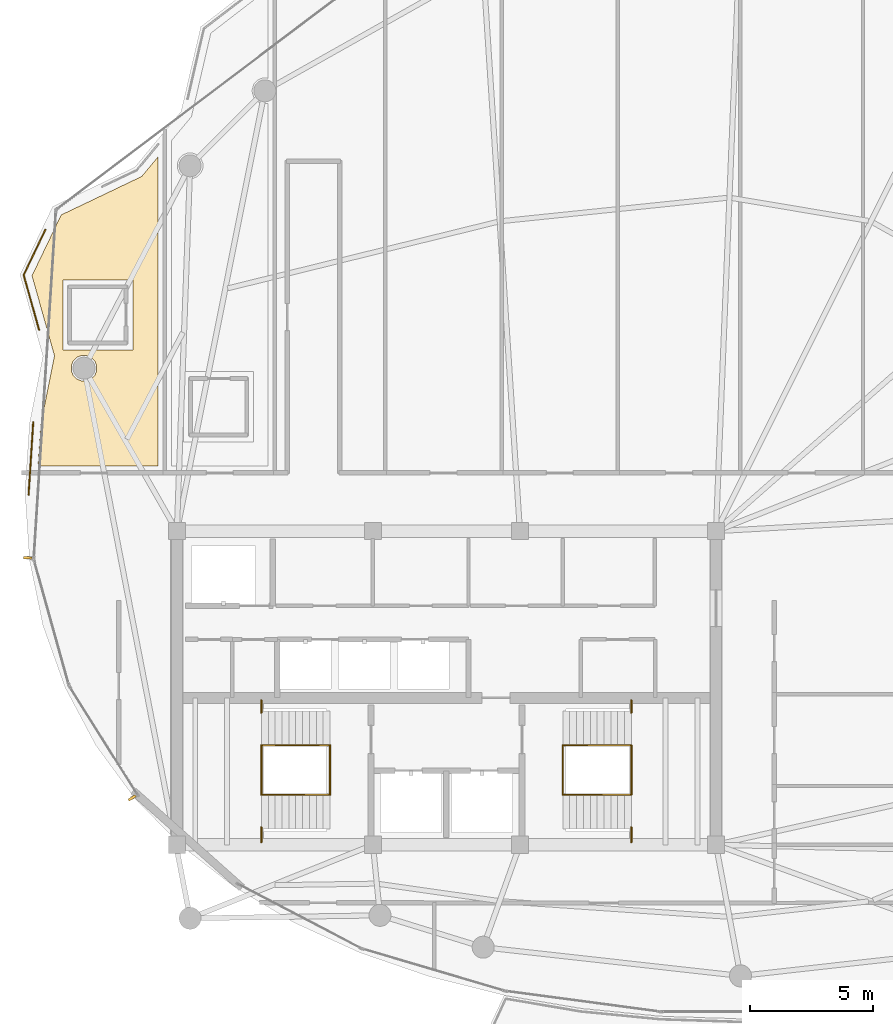
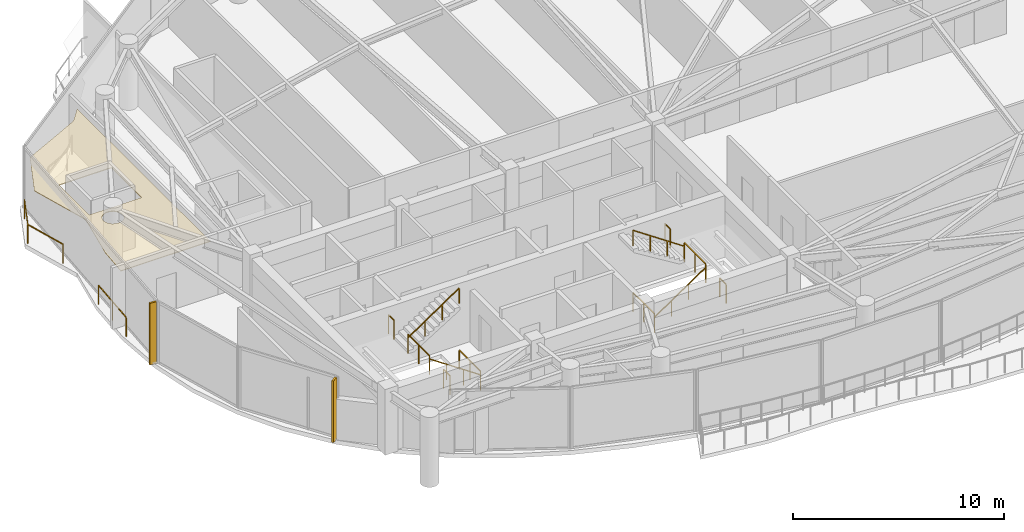
# One storey, part 28 of 30: 14 railings, 2 shading devices, 1 covering.
"""IFC4 building model written with IfcOpenShell, lengths in metres."""

from ifc_helpers import new_model, si_unit, direction, frame, origin, origin_2d, place, context, subcontext, project, spatial, polyline, rectangle, outline, extrude, material, layer, layer_set, type_object, element, save


model = new_model("IFC4")

# Units and contexts
model_context = context("Model", 3, precision=1e-05, world=origin(), true_north=direction((0.0, 1.0)))
body_context = subcontext(model_context, "Body", "Model", "MODEL_VIEW")
ifc_project = project(units=[si_unit("LENGTHUNIT", "METRE"), si_unit("AREAUNIT", "SQUARE_METRE"), si_unit("VOLUMEUNIT", "CUBIC_METRE"), si_unit("PLANEANGLEUNIT", "RADIAN"), si_unit("MASSUNIT", "GRAM", prefix="KILO")], contexts=[model_context])

# Site, building, storey
site_placement = place(None, origin())
site = spatial("IfcSite", under=ifc_project, at=site_placement, CompositionType="ELEMENT")
building_placement = place(site_placement, origin())
building = spatial("IfcBuilding", under=site, at=building_placement, Name="Kazevale Care Tower and Concert Hall", CompositionType="ELEMENT")
storey_placement = place(building_placement, frame((0.0, 0.0, 258.60009765625)))
storey = spatial("IfcBuildingStorey", under=building, at=storey_placement, Name="L68", CompositionType="ELEMENT", Elevation=258.60009765625)

# Covering
ifc_material_1 = material(Name="Acoustic Plaster and Hinoki Wood", Category="wood")
ifc_layer = layer(ifc_material_1, 0.0400390625)
ifc_layer_set = layer_set([ifc_layer], Name="Acoustic Plaster and Hinoki Wood")
covering_type = type_object("IfcCoveringType", Name="Acoustic Perforated Wood-Gypsum Ceiling", PredefinedType="CEILING", material=ifc_layer_set)
covering_placement = place(storey_placement, frame((0.0, 0.0, 2.909912109375)))
element("IfcCovering", 1, at=covering_placement, inside=storey, type_object=covering_type, Name="clg:L68:1", PredefinedType="CEILING", context=body_context, shape_type="SweptSolid", body=[
    extrude(outline(polyline([(16.087890625, 46.824951171875), (17.279052734375, 49.304931640625), (20.56494140625, 50.8759765625), (21.219970703125, 51.6630859375), (21.219970703125, 39.054931640625), (16.330078125, 39.054931640625), (16.44091796875, 40.72802734375), (17.0048828125, 43.55908203125), (16.087890625, 46.824951171875)]), holes=[polyline([(17.344970703125, 46.655029296875), (17.344970703125, 43.794921875), (20.205078125, 43.794921875), (20.205078125, 46.655029296875), (17.344970703125, 46.655029296875)]), polyline([(18.72998046875, 43.153076171875), (18.65087890625, 43.343994140625), (18.50390625, 43.490966796875), (18.31298828125, 43.570068359375), (18.10693359375, 43.570068359375), (17.916015625, 43.490966796875), (17.76904296875, 43.343994140625), (17.68994140625, 43.153076171875), (17.68994140625, 42.947021484375), (17.76904296875, 42.756103515625), (17.916015625, 42.60888671875), (18.10693359375, 42.530029296875), (18.31298828125, 42.530029296875), (18.50390625, 42.60888671875), (18.65087890625, 42.756103515625), (18.72998046875, 42.947021484375), (18.72998046875, 43.153076171875)])]), origin(), (0.0, 0.0, 1.0), 0.0400390625),
])

# Railings
ifc_material_2 = material(Name="Anodised Bronze Aluminium and Laminated Glass", Category="aluminium")
railing_type_1 = type_object("IfcRailingType", Name="Balcony and Terrace Balustrade 1120", PredefinedType="BALUSTRADE", material=ifc_material_2)
railing_1_placement = place(storey_placement, frame((15.947998046875, 37.87890625, 0.0)))
element("IfcRailing", 2, at=railing_1_placement, inside=storey, type_object=railing_type_1, Name="rail:L68:perim:1", PredefinedType="BALUSTRADE", context=body_context, shape_type="SweptSolid", body=[
    extrude(rectangle(XDim=0.048095703125, YDim=0.048095703125, at=origin_2d()), frame((0.0, 0.0, 1.09619140625), z_axis=(0.063663552123, 0.997971418494, 0.0), x_axis=(-0.997971418494, 0.063663552123, 0.0)), (0.0, 0.0, 1.0), 2.96826171875),
    extrude(rectangle(XDim=0.0419921875, YDim=0.0419921875, at=origin_2d()), origin(), (0.0, 0.0, 1.0), 1.072021484375),
    extrude(rectangle(XDim=0.0419921875, YDim=0.0419921875, at=origin_2d()), frame((0.094482421875, 1.48095703125, 0.0)), (0.0, 0.0, 1.0), 1.072021484375),
    extrude(rectangle(XDim=0.0419921875, YDim=0.0419921875, at=origin_2d()), frame((0.18896484375, 2.962158203125, 0.0)), (0.0, 0.0, 1.0), 1.072021484375),
])
railing_2_placement = place(storey_placement, frame((16.376953125, 44.611083984375, 0.0)))
element("IfcRailing", 3, at=railing_2_placement, inside=storey, type_object=railing_type_1, Name="rail:L68:perim:2", PredefinedType="BALUSTRADE", context=body_context, shape_type="SweptSolid", body=[
    extrude(rectangle(XDim=0.048095703125, YDim=0.048095703125, at=origin_2d()), frame((0.0, 0.0, 1.09619140625), z_axis=(-0.270263204308, 0.962786477053, 0.0), x_axis=(-0.962786477053, -0.270263204308, 0.0)), (0.0, 0.0, 1.0), 2.33056640625),
    extrude(rectangle(XDim=0.048095703125, YDim=0.048095703125, at=origin_2d()), frame((-0.6298828125, 2.243896484375, 1.09619140625), z_axis=(0.43310531756, 0.901343321882, 0.0), x_axis=(-0.901343321882, 0.43310531756, 0.0)), (0.0, 0.0, 1.0), 2.056884765625),
    extrude(rectangle(XDim=0.0419921875, YDim=0.0419921875, at=origin_2d()), origin(), (0.0, 0.0, 1.0), 1.072021484375),
    extrude(rectangle(XDim=0.0419921875, YDim=0.0419921875, at=origin_2d()), frame((-0.6298828125, 2.243896484375, 0.0)), (0.0, 0.0, 1.0), 1.072021484375),
    extrude(rectangle(XDim=0.0419921875, YDim=0.0419921875, at=origin_2d()), frame((0.260986328125, 4.097900390625, 0.0)), (0.0, 0.0, 1.0), 1.072021484375),
])
ifc_material_3 = material(Name="Stainless Steel 316", Category="steel")
railing_type_2 = type_object("IfcRailingType", Name="Stair Pitch Handrail 920", PredefinedType="HANDRAIL", material=ifc_material_3)
railing_3_placement = place(storey_placement, frame((28.25, 25.639892578125, 0.0)))
element("IfcRailing", 4, at=railing_3_placement, inside=storey, type_object=railing_type_2, Name="stair:L68:ST1:hr1", PredefinedType="HANDRAIL", context=body_context, shape_type="SweptSolid", body=[
    extrude(rectangle(XDim=0.048095703125, YDim=0.048095703125, at=origin_2d()), frame((0.0, 0.0, 0.89599609375), z_axis=(-0.827493732819, 0.0, 0.561474952376), x_axis=(0.0, -1.0, 0.0)), (0.0, 0.0, 1.0), 3.3837890625),
    extrude(rectangle(XDim=0.0419921875, YDim=0.0419921875, at=origin_2d()), origin(), (0.0, 0.0, 1.0), 0.871826171875),
    extrude(rectangle(XDim=0.0419921875, YDim=0.0419921875, at=origin_2d()), frame((-0.933349609375, 0.0, 0.63330078125)), (0.0, 0.0, 1.0), 0.871826171875),
    extrude(rectangle(XDim=0.0419921875, YDim=0.0419921875, at=origin_2d()), frame((-1.86669921875, 0.0, 1.2666015625)), (0.0, 0.0, 1.0), 0.871826171875),
    extrude(rectangle(XDim=0.0419921875, YDim=0.0419921875, at=origin_2d()), frame((-2.800048828125, 0.0, 1.89990234375)), (0.0, 0.0, 1.0), 0.871826171875),
])
for number, where, name in (
    (5, (25.449951171875, 27.659912109375, 1.89990234375), "stair:L68:ST1:hr2"),
    (6, (37.75, 25.639892578125, 0.0), "stair:L68:ST2:hr1"),
):
    element("IfcRailing", number, at=place(storey_placement, frame(where)), inside=storey, type_object=railing_type_2, Name=name, PredefinedType="HANDRAIL", context=body_context, shape_type="SweptSolid", body=[
        extrude(rectangle(XDim=0.048095703125, YDim=0.048095703125, at=origin_2d()), frame((0.0, 0.0, 0.89599609375), z_axis=(0.827493732819, 0.0, 0.561474952376), x_axis=(0.0, 1.0, 0.0)), (0.0, 0.0, 1.0), 3.3837890625),
        extrude(rectangle(XDim=0.0419921875, YDim=0.0419921875, at=origin_2d()), origin(), (0.0, 0.0, 1.0), 0.871826171875),
        extrude(rectangle(XDim=0.0419921875, YDim=0.0419921875, at=origin_2d()), frame((0.933349609375, 0.0, 0.63330078125)), (0.0, 0.0, 1.0), 0.871826171875),
        extrude(rectangle(XDim=0.0419921875, YDim=0.0419921875, at=origin_2d()), frame((1.86669921875, 0.0, 1.2666015625)), (0.0, 0.0, 1.0), 0.871826171875),
        extrude(rectangle(XDim=0.0419921875, YDim=0.0419921875, at=origin_2d()), frame((2.800048828125, 0.0, 1.89990234375)), (0.0, 0.0, 1.0), 0.871826171875),
    ])
railing_4_placement = place(storey_placement, frame((40.550048828125, 27.659912109375, 1.89990234375)))
element("IfcRailing", 7, at=railing_4_placement, inside=storey, type_object=railing_type_2, Name="stair:L68:ST2:hr2", PredefinedType="HANDRAIL", context=body_context, shape_type="SweptSolid", body=[
    extrude(rectangle(XDim=0.048095703125, YDim=0.048095703125, at=origin_2d()), frame((0.0, 0.0, 0.89599609375), z_axis=(-0.827493732819, 0.0, 0.561474952376), x_axis=(0.0, -1.0, 0.0)), (0.0, 0.0, 1.0), 3.3837890625),
    extrude(rectangle(XDim=0.0419921875, YDim=0.0419921875, at=origin_2d()), origin(), (0.0, 0.0, 1.0), 0.871826171875),
    extrude(rectangle(XDim=0.0419921875, YDim=0.0419921875, at=origin_2d()), frame((-0.933349609375, 0.0, 0.63330078125)), (0.0, 0.0, 1.0), 0.871826171875),
    extrude(rectangle(XDim=0.0419921875, YDim=0.0419921875, at=origin_2d()), frame((-1.86669921875, 0.0, 1.2666015625)), (0.0, 0.0, 1.0), 0.871826171875),
    extrude(rectangle(XDim=0.0419921875, YDim=0.0419921875, at=origin_2d()), frame((-2.800048828125, 0.0, 1.89990234375)), (0.0, 0.0, 1.0), 0.871826171875),
])
railing_type_3 = type_object("IfcRailingType", Name="Stair Well Guard Balustrade 1120", PredefinedType="BALUSTRADE", material=ifc_material_3)
railing_5_placement = place(storey_placement, frame((25.449951171875, 23.699951171875, 1.89990234375)))
element("IfcRailing", 8, at=railing_5_placement, inside=storey, type_object=railing_type_3, Name="stair:L68:ST1:grd_side1", PredefinedType="BALUSTRADE", context=body_context, shape_type="SweptSolid", body=[
    extrude(rectangle(XDim=0.048095703125, YDim=0.048095703125, at=origin_2d()), frame((0.0, 0.0, 1.09619140625), z_axis=(0.0, 1.0, 0.0), x_axis=(-1.0, 0.0, 0.0)), (0.0, 0.0, 1.0), 0.610107421875),
    extrude(rectangle(XDim=0.0419921875, YDim=0.0419921875, at=origin_2d()), origin(), (0.0, 0.0, 1.0), 1.072021484375),
    extrude(rectangle(XDim=0.0419921875, YDim=0.0419921875, at=origin_2d()), frame((0.0, 0.610107421875, 0.0)), (0.0, 0.0, 1.0), 1.072021484375),
])
railing_6_placement = place(storey_placement, frame((25.449951171875, 28.989990234375, 1.89990234375)))
element("IfcRailing", 9, at=railing_6_placement, inside=storey, type_object=railing_type_3, Name="stair:L68:ST1:grd_side2", PredefinedType="BALUSTRADE", context=body_context, shape_type="SweptSolid", body=[
    extrude(rectangle(XDim=0.048095703125, YDim=0.048095703125, at=origin_2d()), frame((0.0, 0.0, 1.09619140625), z_axis=(0.0, 1.0, 0.0), x_axis=(-1.0, 0.0, 0.0)), (0.0, 0.0, 1.0), 0.510009765625),
    extrude(rectangle(XDim=0.0419921875, YDim=0.0419921875, at=origin_2d()), origin(), (0.0, 0.0, 1.0), 1.072021484375),
    extrude(rectangle(XDim=0.0419921875, YDim=0.0419921875, at=origin_2d()), frame((0.0, 0.510009765625, 0.0)), (0.0, 0.0, 1.0), 1.072021484375),
])
for number, where, name in (
    (10, (25.449951171875, 25.639892578125, 1.89990234375), "stair:L68:ST1:grd_mid"),
    (11, (28.25, 25.639892578125, 0.0), "stair:L68:ST1:grd_flr"),
):
    element("IfcRailing", number, at=place(storey_placement, frame(where)), inside=storey, type_object=railing_type_3, Name=name, PredefinedType="BALUSTRADE", context=body_context, shape_type="SweptSolid", body=[
        extrude(rectangle(XDim=0.048095703125, YDim=0.048095703125, at=origin_2d()), frame((0.0, 0.0, 1.09619140625), z_axis=(0.0, 1.0, 0.0), x_axis=(-1.0, 0.0, 0.0)), (0.0, 0.0, 1.0), 2.02001953125),
        extrude(rectangle(XDim=0.0419921875, YDim=0.0419921875, at=origin_2d()), origin(), (0.0, 0.0, 1.0), 1.072021484375),
        extrude(rectangle(XDim=0.0419921875, YDim=0.0419921875, at=origin_2d()), frame((0.0, 1.010009765625, 0.0)), (0.0, 0.0, 1.0), 1.072021484375),
        extrude(rectangle(XDim=0.0419921875, YDim=0.0419921875, at=origin_2d()), frame((0.0, 2.02001953125, 0.0)), (0.0, 0.0, 1.0), 1.072021484375),
    ])
railing_7_placement = place(storey_placement, frame((40.550048828125, 23.699951171875, 1.89990234375)))
element("IfcRailing", 12, at=railing_7_placement, inside=storey, type_object=railing_type_3, Name="stair:L68:ST2:grd_side1", PredefinedType="BALUSTRADE", context=body_context, shape_type="SweptSolid", body=[
    extrude(rectangle(XDim=0.048095703125, YDim=0.048095703125, at=origin_2d()), frame((0.0, 0.0, 1.09619140625), z_axis=(0.0, 1.0, 0.0), x_axis=(-1.0, 0.0, 0.0)), (0.0, 0.0, 1.0), 0.610107421875),
    extrude(rectangle(XDim=0.0419921875, YDim=0.0419921875, at=origin_2d()), origin(), (0.0, 0.0, 1.0), 1.072021484375),
    extrude(rectangle(XDim=0.0419921875, YDim=0.0419921875, at=origin_2d()), frame((0.0, 0.610107421875, 0.0)), (0.0, 0.0, 1.0), 1.072021484375),
])
railing_8_placement = place(storey_placement, frame((40.550048828125, 28.989990234375, 1.89990234375)))
element("IfcRailing", 13, at=railing_8_placement, inside=storey, type_object=railing_type_3, Name="stair:L68:ST2:grd_side2", PredefinedType="BALUSTRADE", context=body_context, shape_type="SweptSolid", body=[
    extrude(rectangle(XDim=0.048095703125, YDim=0.048095703125, at=origin_2d()), frame((0.0, 0.0, 1.09619140625), z_axis=(0.0, 1.0, 0.0), x_axis=(-1.0, 0.0, 0.0)), (0.0, 0.0, 1.0), 0.510009765625),
    extrude(rectangle(XDim=0.0419921875, YDim=0.0419921875, at=origin_2d()), origin(), (0.0, 0.0, 1.0), 1.072021484375),
    extrude(rectangle(XDim=0.0419921875, YDim=0.0419921875, at=origin_2d()), frame((0.0, 0.510009765625, 0.0)), (0.0, 0.0, 1.0), 1.072021484375),
])
for number, where, name in (
    (14, (40.550048828125, 25.639892578125, 1.89990234375), "stair:L68:ST2:grd_mid"),
    (15, (37.75, 25.639892578125, 0.0), "stair:L68:ST2:grd_flr"),
):
    element("IfcRailing", number, at=place(storey_placement, frame(where)), inside=storey, type_object=railing_type_3, Name=name, PredefinedType="BALUSTRADE", context=body_context, shape_type="SweptSolid", body=[
        extrude(rectangle(XDim=0.048095703125, YDim=0.048095703125, at=origin_2d()), frame((0.0, 0.0, 1.09619140625), z_axis=(0.0, 1.0, 0.0), x_axis=(-1.0, 0.0, 0.0)), (0.0, 0.0, 1.0), 2.02001953125),
        extrude(rectangle(XDim=0.0419921875, YDim=0.0419921875, at=origin_2d()), origin(), (0.0, 0.0, 1.0), 1.072021484375),
        extrude(rectangle(XDim=0.0419921875, YDim=0.0419921875, at=origin_2d()), frame((0.0, 1.010009765625, 0.0)), (0.0, 0.0, 1.0), 1.072021484375),
        extrude(rectangle(XDim=0.0419921875, YDim=0.0419921875, at=origin_2d()), frame((0.0, 2.02001953125, 0.0)), (0.0, 0.0, 1.0), 1.072021484375),
    ])

# Shading devices
ifc_material_4 = material(Name="Anodised Bronze Aluminium", Category="aluminium")
shading_device_type = type_object("IfcShadingDeviceType", Name="Waist Anodised Bronze-Stone Fin FIN-02", PredefinedType="USERDEFINED", material=ifc_material_4)
for number, where, z_axis, x_axis, name in (
    (16, (20.175048828125, 25.5146484375, -0.000244140625), (0.0, 0.0, 1.0), (-0.846657866138, -0.532137630417, 0.0), "cw:L68:f11:fin"),
    (17, (15.9091796875, 35.310302734375, -0.000244140625), (0.0, 0.0, 1.0), (-0.997982649167, 0.063487258268, 0.0), "cw:L68:f13:fin"),
):
    element("IfcShadingDevice", number, at=place(storey_placement, frame(where, z_axis=z_axis, x_axis=x_axis)), inside=storey, type_object=shading_device_type, Name=name, ObjectType="FIN", PredefinedType="USERDEFINED", context=body_context, shape_type="SweptSolid", body=[
        extrude(rectangle(XDim=0.340087890625, YDim=0.10009765625, at=origin_2d()), origin(), (0.0, 0.0, 1.0), 3.56005859375),
    ])

save(model, "model.ifc")
